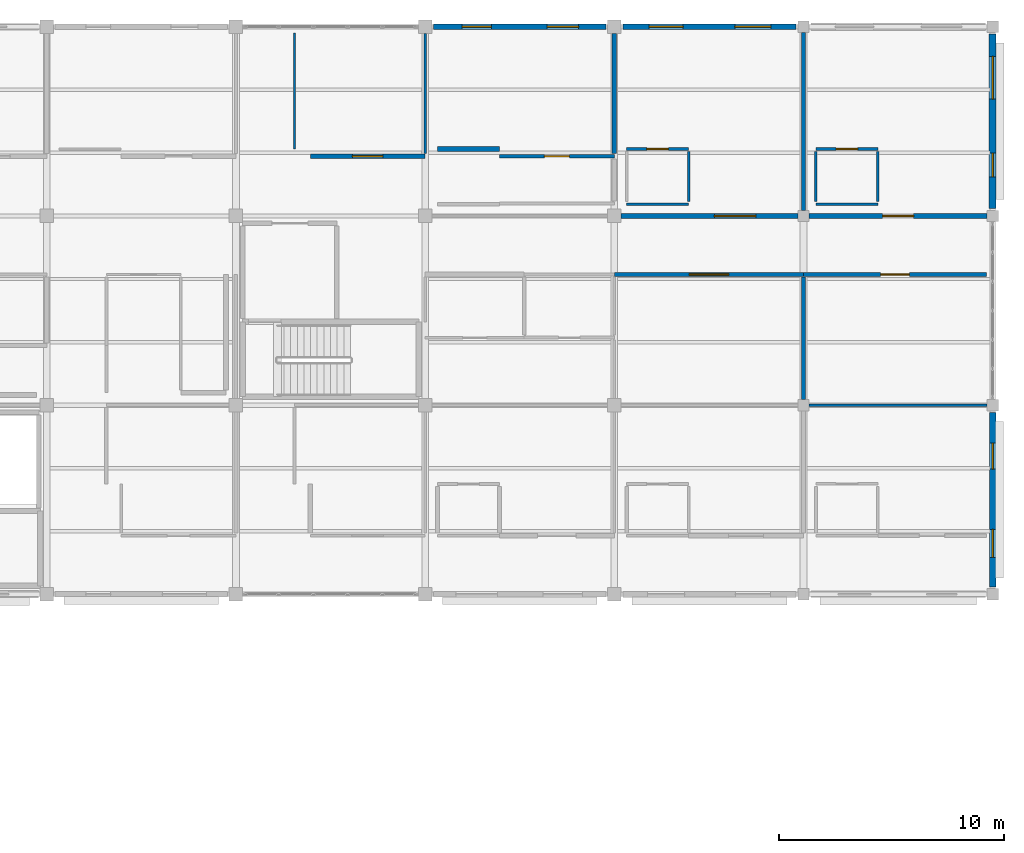
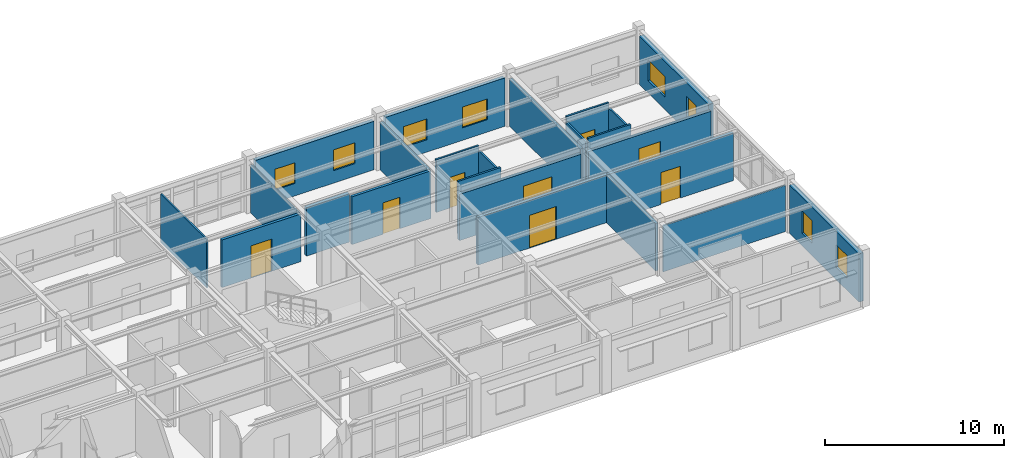
# One storey, part 69 of 86: 24 walls, 8 doors, 8 windows, 16 openings.
"""IFC4 building model written with IfcOpenShell, lengths in metres."""

from ifc_helpers import new_model, si_unit, direction, frame, frame_2d, origin, place, context, subcontext, project, spatial, rectangle, extrude, material, layer, layer_set, type_object, element, fill, save


model = new_model("IFC4")

# Units and contexts
model_context = context("Model", 3, precision=1e-05, world=origin(), true_north=direction((0.0, 1.0)))
body_context = subcontext(model_context, "Body", "Model", "MODEL_VIEW")
ifc_project = project(units=[si_unit("LENGTHUNIT", "METRE"), si_unit("AREAUNIT", "SQUARE_METRE"), si_unit("VOLUMEUNIT", "CUBIC_METRE"), si_unit("PLANEANGLEUNIT", "RADIAN"), si_unit("MASSUNIT", "GRAM", prefix="KILO")], contexts=[model_context])

# Site, building, storey
site_placement = place(None, origin())
site = spatial("IfcSite", under=ifc_project, at=site_placement, CompositionType="ELEMENT")
building_placement = place(site_placement, origin())
building = spatial("IfcBuilding", under=site, at=building_placement, Name="Bramfleet General Hospital", CompositionType="ELEMENT")
storey_placement = place(building_placement, frame((0.0, 0.0, 18.60009765625)))
storey = spatial("IfcBuildingStorey", under=building, at=storey_placement, Name="L04", CompositionType="ELEMENT", Elevation=18.60009765625)

# Wall, openings, windows
ifc_material_1 = material(Name="Precast concrete C40/50", Category="concrete")
ifc_layer_1 = layer(ifc_material_1, 0.31494140625, Name="WT-EW-04")
ifc_layer_set_1 = layer_set([ifc_layer_1], Name="Precast concrete C40/50")
wall_type_1 = type_object("IfcWallType", Name="WT-EW-04", PredefinedType="SOLIDWALL", material=ifc_layer_set_1)
wall_1_placement = place(storey_placement, frame((168.0, 117.27490234375, 0.0), z_axis=(0.0, 0.0, 1.0), x_axis=(0.0, -1.0, 0.0)))
wall_1 = element("IfcWall", 1, at=wall_1_placement, inside=storey, type_object=wall_type_1, Name="L04 Exterior Wall 296", PredefinedType="SOLIDWALL", context=body_context, shape_type="SweptSolid", body=[
    extrude(rectangle(XDim=7.75, YDim=0.31494140625, at=frame_2d((3.875, 0.0))), origin(), (0.0, 0.0, 1.0), 3.2998046875),
])
opening_1_placement = place(wall_1_placement, frame((0.987548828125, 0.0, 0.85009765625)))
opening_1 = element("IfcOpeningElement", 2, at=opening_1_placement, cuts=wall_1, Name="Opening W-20", PredefinedType="OPENING", context=body_context, shape_type="SweptSolid", body=[
    extrude(rectangle(XDim=1.89990234375, YDim=1.419921875, at=frame_2d((0.949951171875, 0.7099609375))), frame((0.0, 0.16748046875, 0.0), z_axis=(0.0, -1.0, 0.0), x_axis=(1.0, 0.0, 0.0)), (0.0, 0.0, 1.0), 0.3349609375),
])
opening_2_placement = place(wall_1_placement, frame((5.28759765625, 0.0, 0.85009765625)))
opening_2 = element("IfcOpeningElement", 3, at=opening_2_placement, cuts=wall_1, Name="Opening W-21", PredefinedType="OPENING", context=body_context, shape_type="SweptSolid", body=[
    extrude(rectangle(XDim=1.050048828125, YDim=1.5400390625, at=frame_2d((0.52490234375, 0.77001953125))), frame((0.0, 0.16748046875, 0.0), z_axis=(0.0, -1.0, 0.0), x_axis=(1.0, 0.0, 0.0)), (0.0, 0.0, 1.0), 0.3349609375),
])
ifc_material_2 = material(Name="Anodised aluminium and low-E triple glazing", Category="aluminium")
window_type_1 = type_object("IfcWindowType", Name="WIN-W-20", PartitioningType="SINGLE_PANEL", PredefinedType="WINDOW", material=ifc_material_2)
window_1_placement = place(opening_1_placement, origin())
window_1 = element("IfcWindow", 4, at=window_1_placement, inside=storey, type_object=window_type_1, Name="L04 Facade Window WIN-L04-296-1", OverallHeight=1.419921875, OverallWidth=1.89990234375, PartitioningType="SINGLE_PANEL", PredefinedType="WINDOW", context=body_context, shape_type="SweptSolid", body=[
    extrude(rectangle(XDim=1.89990234375, YDim=1.419921875, at=frame_2d((0.949951171875, 0.7099609375))), frame((0.0, 0.030029296875, 0.0), z_axis=(0.0, -1.0, 0.0), x_axis=(1.0, 0.0, 0.0)), (0.0, 0.0, 1.0), 0.06005859375),
])
fill(opening_1, window_1)
window_type_2 = type_object("IfcWindowType", Name="WIN-W-21", PartitioningType="SINGLE_PANEL", PredefinedType="WINDOW", material=ifc_material_2)
window_2_placement = place(opening_2_placement, origin())
window_2 = element("IfcWindow", 5, at=window_2_placement, inside=storey, type_object=window_type_2, Name="L04 Facade Window WIN-L04-296-2", OverallHeight=1.5400390625, OverallWidth=1.050048828125, PartitioningType="SINGLE_PANEL", PredefinedType="WINDOW", context=body_context, shape_type="SweptSolid", body=[
    extrude(rectangle(XDim=1.050048828125, YDim=1.5400390625, at=frame_2d((0.52490234375, 0.77001953125))), frame((0.0, 0.030029296875, 0.0), z_axis=(0.0, -1.0, 0.0), x_axis=(1.0, 0.0, 0.0)), (0.0, 0.0, 1.0), 0.06005859375),
])
fill(opening_2, window_2)

ifc_layer_2 = layer(ifc_material_1, 0.294921875, Name="WT-EW-05")
ifc_layer_set_2 = layer_set([ifc_layer_2], Name="Precast concrete C40/50")
wall_type_2 = type_object("IfcWallType", Name="WT-EW-05", PredefinedType="SOLIDWALL", material=ifc_layer_set_2)
wall_2_placement = place(storey_placement, frame((168.0, 100.47509765625, 0.0), z_axis=(0.0, 0.0, 1.0), x_axis=(0.0, -1.0, 0.0)))
wall_2 = element("IfcWall", 6, at=wall_2_placement, inside=storey, type_object=wall_type_2, Name="L04 Exterior Wall 297", PredefinedType="SOLIDWALL", context=body_context, shape_type="SweptSolid", body=[
    extrude(rectangle(XDim=7.75, YDim=0.294921875, at=frame_2d((3.875, 0.0))), origin(), (0.0, 0.0, 1.0), 3.2998046875),
])
opening_3_placement = place(wall_2_placement, frame((1.362548828125, 0.0, 0.85009765625)))
opening_3 = element("IfcOpeningElement", 7, at=opening_3_placement, cuts=wall_2, Name="Opening W-22", PredefinedType="OPENING", context=body_context, shape_type="SweptSolid", body=[
    extrude(rectangle(XDim=1.14990234375, YDim=1.5400390625, at=frame_2d((0.574951171875, 0.77001953125))), frame((0.0, 0.157470703125, 0.0), z_axis=(0.0, -1.0, 0.0), x_axis=(1.0, 0.0, 0.0)), (0.0, 0.0, 1.0), 0.31494140625),
])
opening_4_placement = place(wall_2_placement, frame((5.1875, 0.0, 0.85009765625)))
opening_4 = element("IfcOpeningElement", 8, at=opening_4_placement, cuts=wall_2, Name="Opening W-23", PredefinedType="OPENING", context=body_context, shape_type="SweptSolid", body=[
    extrude(rectangle(XDim=1.25, YDim=1.5400390625, at=frame_2d((0.625, 0.77001953125))), frame((0.0, 0.157470703125, 0.0), z_axis=(0.0, -1.0, 0.0), x_axis=(1.0, 0.0, 0.0)), (0.0, 0.0, 1.0), 0.31494140625),
])
window_type_3 = type_object("IfcWindowType", Name="WIN-W-22", PartitioningType="SINGLE_PANEL", PredefinedType="WINDOW", material=ifc_material_2)
window_3_placement = place(opening_3_placement, origin())
window_3 = element("IfcWindow", 9, at=window_3_placement, inside=storey, type_object=window_type_3, Name="L04 Facade Window WIN-L04-297-1", OverallHeight=1.5400390625, OverallWidth=1.14990234375, PartitioningType="SINGLE_PANEL", PredefinedType="WINDOW", context=body_context, shape_type="SweptSolid", body=[
    extrude(rectangle(XDim=1.14990234375, YDim=1.5400390625, at=frame_2d((0.574951171875, 0.77001953125))), frame((0.0, 0.030029296875, 0.0), z_axis=(0.0, -1.0, 0.0), x_axis=(1.0, 0.0, 0.0)), (0.0, 0.0, 1.0), 0.06005859375),
])
fill(opening_3, window_3)
window_type_4 = type_object("IfcWindowType", Name="WIN-W-23", PartitioningType="SINGLE_PANEL", PredefinedType="WINDOW", material=ifc_material_2)
window_4_placement = place(opening_4_placement, origin())
window_4 = element("IfcWindow", 10, at=window_4_placement, inside=storey, type_object=window_type_4, Name="L04 Facade Window WIN-L04-297-2", OverallHeight=1.5400390625, OverallWidth=1.25, PartitioningType="SINGLE_PANEL", PredefinedType="WINDOW", context=body_context, shape_type="SweptSolid", body=[
    extrude(rectangle(XDim=1.25, YDim=1.5400390625, at=frame_2d((0.625, 0.77001953125))), frame((0.0, 0.030029296875, 0.0), z_axis=(0.0, -1.0, 0.0), x_axis=(1.0, 0.0, 0.0)), (0.0, 0.0, 1.0), 0.06005859375),
])
fill(opening_4, window_4)

ifc_layer_3 = layer(ifc_material_1, 0.25, Name="WT-EW-08")
ifc_layer_set_3 = layer_set([ifc_layer_3], Name="Precast concrete C40/50")
wall_type_3 = type_object("IfcWallType", Name="WT-EW-08", PredefinedType="SOLIDWALL", material=ifc_layer_set_3)
wall_3_placement = place(storey_placement, frame((143.175048828125, 117.60009765625, 0.0), z_axis=(0.0, 0.0, 1.0), x_axis=(1.0, 0.0, 0.0)))
wall_3 = element("IfcWall", 11, at=wall_3_placement, inside=storey, type_object=wall_type_3, Name="L04 Exterior Wall 293", PredefinedType="SOLIDWALL", context=body_context, shape_type="SweptSolid", body=[
    extrude(rectangle(XDim=7.64990234375, YDim=0.25, at=frame_2d((3.824951171875, 0.0))), origin(), (0.0, 0.0, 1.0), 3.309814453125),
])
opening_5_placement = place(wall_3_placement, frame((1.262451171875, 0.0, 0.85009765625)))
opening_5 = element("IfcOpeningElement", 12, at=opening_5_placement, cuts=wall_3, Name="Opening W-14", PredefinedType="OPENING", context=body_context, shape_type="SweptSolid", body=[
    extrude(rectangle(XDim=1.300048828125, YDim=1.419921875, at=frame_2d((0.64990234375, 0.7099609375))), frame((0.0, 0.135009765625, 0.0), z_axis=(0.0, -1.0, 0.0), x_axis=(1.0, 0.0, 0.0)), (0.0, 0.0, 1.0), 0.27001953125),
])
opening_6_placement = place(wall_3_placement, frame((5.03759765625, 0.0, 0.85009765625)))
opening_6 = element("IfcOpeningElement", 13, at=opening_6_placement, cuts=wall_3, Name="Opening W-15", PredefinedType="OPENING", context=body_context, shape_type="SweptSolid", body=[
    extrude(rectangle(XDim=1.39990234375, YDim=1.419921875, at=frame_2d((0.699951171875, 0.7099609375))), frame((0.0, 0.135009765625, 0.0), z_axis=(0.0, -1.0, 0.0), x_axis=(1.0, 0.0, 0.0)), (0.0, 0.0, 1.0), 0.27001953125),
])
window_type_5 = type_object("IfcWindowType", Name="WIN-W-14", PartitioningType="SINGLE_PANEL", PredefinedType="WINDOW", material=ifc_material_2)
window_5_placement = place(opening_5_placement, origin())
window_5 = element("IfcWindow", 14, at=window_5_placement, inside=storey, type_object=window_type_5, Name="L04 Facade Window WIN-L04-293-1", OverallHeight=1.419921875, OverallWidth=1.300048828125, PartitioningType="SINGLE_PANEL", PredefinedType="WINDOW", context=body_context, shape_type="SweptSolid", body=[
    extrude(rectangle(XDim=1.300048828125, YDim=1.419921875, at=frame_2d((0.64990234375, 0.7099609375))), frame((0.0, 0.030029296875, 0.0), z_axis=(0.0, -1.0, 0.0), x_axis=(1.0, 0.0, 0.0)), (0.0, 0.0, 1.0), 0.06005859375),
])
fill(opening_5, window_5)
window_type_6 = type_object("IfcWindowType", Name="WIN-W-15", PartitioningType="SINGLE_PANEL", PredefinedType="WINDOW", material=ifc_material_2)
window_6_placement = place(opening_6_placement, origin())
window_6 = element("IfcWindow", 15, at=window_6_placement, inside=storey, type_object=window_type_6, Name="L04 Facade Window WIN-L04-293-2", OverallHeight=1.419921875, OverallWidth=1.39990234375, PartitioningType="SINGLE_PANEL", PredefinedType="WINDOW", context=body_context, shape_type="SweptSolid", body=[
    extrude(rectangle(XDim=1.39990234375, YDim=1.419921875, at=frame_2d((0.699951171875, 0.7099609375))), frame((0.0, 0.030029296875, 0.0), z_axis=(0.0, -1.0, 0.0), x_axis=(1.0, 0.0, 0.0)), (0.0, 0.0, 1.0), 0.06005859375),
])
fill(opening_6, window_6)

ifc_layer_4 = layer(ifc_material_1, 0.235107421875, Name="WT-EW-09")
ifc_layer_set_4 = layer_set([ifc_layer_4], Name="Precast concrete C40/50")
wall_type_4 = type_object("IfcWallType", Name="WT-EW-09", PredefinedType="SOLIDWALL", material=ifc_layer_set_4)
wall_4_placement = place(storey_placement, frame((151.574951171875, 117.60009765625, 0.0), z_axis=(0.0, 0.0, 1.0), x_axis=(1.0, 0.0, 0.0)))
wall_4 = element("IfcWall", 16, at=wall_4_placement, inside=storey, type_object=wall_type_4, Name="L04 Exterior Wall 294", PredefinedType="SOLIDWALL", context=body_context, shape_type="SweptSolid", body=[
    extrude(rectangle(XDim=7.699951171875, YDim=0.235107421875, at=frame_2d((3.85009765625, 0.0))), origin(), (0.0, 0.0, 1.0), 3.309814453125),
])
opening_7_placement = place(wall_4_placement, frame((1.175048828125, 0.0, 0.85009765625)))
opening_7 = element("IfcOpeningElement", 17, at=opening_7_placement, cuts=wall_4, Name="Opening W-16", PredefinedType="OPENING", context=body_context, shape_type="SweptSolid", body=[
    extrude(rectangle(XDim=1.5, YDim=1.419921875, at=frame_2d((0.75, 0.7099609375))), frame((0.0, 0.12744140625, 0.0), z_axis=(0.0, -1.0, 0.0), x_axis=(1.0, 0.0, 0.0)), (0.0, 0.0, 1.0), 0.255126953125),
])
opening_8_placement = place(wall_4_placement, frame((4.97509765625, 0.0, 0.85009765625)))
opening_8 = element("IfcOpeningElement", 18, at=opening_8_placement, cuts=wall_4, Name="Opening W-17", PredefinedType="OPENING", context=body_context, shape_type="SweptSolid", body=[
    extrude(rectangle(XDim=1.60009765625, YDim=1.419921875, at=frame_2d((0.800048828125, 0.7099609375))), frame((0.0, 0.12744140625, 0.0), z_axis=(0.0, -1.0, 0.0), x_axis=(1.0, 0.0, 0.0)), (0.0, 0.0, 1.0), 0.255126953125),
])
window_type_7 = type_object("IfcWindowType", Name="WIN-W-16", PartitioningType="SINGLE_PANEL", PredefinedType="WINDOW", material=ifc_material_2)
window_7_placement = place(opening_7_placement, origin())
window_7 = element("IfcWindow", 19, at=window_7_placement, inside=storey, type_object=window_type_7, Name="L04 Facade Window WIN-L04-294-1", OverallHeight=1.419921875, OverallWidth=1.5, PartitioningType="SINGLE_PANEL", PredefinedType="WINDOW", context=body_context, shape_type="SweptSolid", body=[
    extrude(rectangle(XDim=1.5, YDim=1.419921875, at=frame_2d((0.75, 0.7099609375))), frame((0.0, 0.030029296875, 0.0), z_axis=(0.0, -1.0, 0.0), x_axis=(1.0, 0.0, 0.0)), (0.0, 0.0, 1.0), 0.06005859375),
])
fill(opening_7, window_7)
window_type_8 = type_object("IfcWindowType", Name="WIN-W-17", PartitioningType="SINGLE_PANEL", PredefinedType="WINDOW", material=ifc_material_2)
window_8_placement = place(opening_8_placement, origin())
window_8 = element("IfcWindow", 20, at=window_8_placement, inside=storey, type_object=window_type_8, Name="L04 Facade Window WIN-L04-294-2", OverallHeight=1.419921875, OverallWidth=1.60009765625, PartitioningType="SINGLE_PANEL", PredefinedType="WINDOW", context=body_context, shape_type="SweptSolid", body=[
    extrude(rectangle(XDim=1.60009765625, YDim=1.419921875, at=frame_2d((0.800048828125, 0.7099609375))), frame((0.0, 0.030029296875, 0.0), z_axis=(0.0, -1.0, 0.0), x_axis=(1.0, 0.0, 0.0)), (0.0, 0.0, 1.0), 0.06005859375),
])
fill(opening_8, window_8)

# Wall, opening, door
ifc_material_3 = material(Name="Concrete C35/45", Category="concrete")
ifc_layer_5 = layer(ifc_material_3, 0.219970703125, Name="WT-IW-01")
ifc_layer_set_5 = layer_set([ifc_layer_5], Name="Concrete C35/45")
wall_type_5 = type_object("IfcWallType", Name="WT-IW-01", PredefinedType="PARTITIONING", material=ifc_layer_set_5)
wall_5_placement = place(storey_placement, frame((151.4951171875, 109.199951171875, 0.0), z_axis=(0.0, 0.0, 1.0), x_axis=(1.0, 0.0, 0.0)))
wall_5 = element("IfcWall", 21, at=wall_5_placement, inside=storey, type_object=wall_type_5, Name="L04 Interior Partition IW-L04-3253", PredefinedType="PARTITIONING", context=body_context, shape_type="SweptSolid", body=[
    extrude(rectangle(XDim=7.85986328125, YDim=0.219970703125, at=frame_2d((3.929931640625, 0.0))), origin(), (0.0, 0.0, 1.0), 3.159912109375),
])
opening_9_placement = place(wall_5_placement, frame((4.153076171875, 0.0, 0.0)))
opening_9 = element("IfcOpeningElement", 22, at=opening_9_placement, cuts=wall_5, Name="Opening D1332", PredefinedType="OPENING", context=body_context, shape_type="SweptSolid", body=[
    extrude(rectangle(XDim=1.840087890625, YDim=2.280029296875, at=frame_2d((0.919921875, 1.14013671875))), frame((0.0, 0.119873046875, 0.0), z_axis=(0.0, -1.0, 0.0), x_axis=(1.0, 0.0, 0.0)), (0.0, 0.0, 1.0), 0.239990234375),
])
ifc_material_4 = material(Name="Stainless steel and acoustic timber leaf", Category="steel")
door_type_1 = type_object("IfcDoorType", Name="DR-D-20", OperationType="NOTDEFINED", PredefinedType="DOOR", material=ifc_material_4)
door_1_placement = place(opening_9_placement, origin())
door_1 = element("IfcDoor", 23, at=door_1_placement, inside=storey, type_object=door_type_1, Name="Surgical Inpatient Ward Bedroom L04-1813 Door D1332", OperationType="DOUBLE_SWING_LEFT", OverallHeight=2.280029296875, OverallWidth=1.840087890625, PredefinedType="DOOR", context=body_context, shape_type="SweptSolid", body=[
    extrude(rectangle(XDim=1.840087890625, YDim=2.280029296875, at=frame_2d((0.919921875, 1.14013671875))), frame((0.0, 0.02490234375, 0.0), z_axis=(0.0, -1.0, 0.0), x_axis=(1.0, 0.0, 0.0)), (0.0, 0.0, 1.0), 0.050048828125),
])
fill(opening_9, door_1)

# Wall
wall_6_placement = place(storey_placement, frame((143.35009765625, 112.169921875, 0.0), z_axis=(0.0, 0.0, 1.0), x_axis=(1.0, 0.0, 0.0)))
element("IfcWall", 24, at=wall_6_placement, inside=storey, type_object=wall_type_5, Name="L04 Interior Partition IW-L04-3277", PredefinedType="PARTITIONING", context=body_context, shape_type="SweptSolid", body=[
    extrude(rectangle(XDim=2.75, YDim=0.219970703125, at=frame_2d((1.375, 0.0))), origin(), (0.0, 0.0, 1.0), 3.309814453125),
])

# Wall, opening, door
ifc_layer_6 = layer(ifc_material_3, 0.205078125, Name="WT-IW-02")
ifc_layer_set_6 = layer_set([ifc_layer_6], Name="Concrete C35/45")
wall_type_6 = type_object("IfcWallType", Name="WT-IW-02", PredefinedType="PARTITIONING", material=ifc_layer_set_6)
wall_7_placement = place(storey_placement, frame((159.844970703125, 109.199951171875, 0.0), z_axis=(0.0, 0.0, 1.0), x_axis=(1.0, 0.0, 0.0)))
wall_7 = element("IfcWall", 25, at=wall_7_placement, inside=storey, type_object=wall_type_6, Name="L04 Interior Partition IW-L04-3254", PredefinedType="PARTITIONING", context=body_context, shape_type="SweptSolid", body=[
    extrude(rectangle(XDim=7.909912109375, YDim=0.205078125, at=frame_2d((3.955078125, 0.0))), origin(), (0.0, 0.0, 1.0), 3.14990234375),
])
opening_10_placement = place(wall_7_placement, frame((3.264892578125, 0.0, 0.0)))
opening_10 = element("IfcOpeningElement", 26, at=opening_10_placement, cuts=wall_7, Name="Opening D1342", PredefinedType="OPENING", context=body_context, shape_type="SweptSolid", body=[
    extrude(rectangle(XDim=1.3798828125, YDim=2.219970703125, at=frame_2d((0.68994140625, 1.10986328125))), frame((0.0, 0.112548828125, 0.0), z_axis=(0.0, -1.0, 0.0), x_axis=(1.0, 0.0, 0.0)), (0.0, 0.0, 1.0), 0.22509765625),
])
door_type_2 = type_object("IfcDoorType", Name="DR-D-30", OperationType="NOTDEFINED", PredefinedType="DOOR", material=ifc_material_4)
door_2_placement = place(opening_10_placement, origin())
door_2 = element("IfcDoor", 27, at=door_2_placement, inside=storey, type_object=door_type_2, Name="Surgical Inpatient Ward Bedroom L04-1913 Door D1342", OperationType="SINGLE_SWING_LEFT", OverallHeight=2.219970703125, OverallWidth=1.3798828125, PredefinedType="DOOR", context=body_context, shape_type="SweptSolid", body=[
    extrude(rectangle(XDim=1.3798828125, YDim=2.219970703125, at=frame_2d((0.68994140625, 1.10986328125))), frame((0.0, 0.02490234375, 0.0), z_axis=(0.0, -1.0, 0.0), x_axis=(1.0, 0.0, 0.0)), (0.0, 0.0, 1.0), 0.050048828125),
])
fill(opening_10, door_2)

ifc_layer_7 = layer(ifc_material_3, 0.18994140625, Name="WT-IW-03")
ifc_layer_set_7 = layer_set([ifc_layer_7], Name="Concrete C35/45")
wall_type_7 = type_object("IfcWallType", Name="WT-IW-03", PredefinedType="PARTITIONING", material=ifc_layer_set_7)
wall_8_placement = place(storey_placement, frame((151.199951171875, 106.60009765625, 0.0), z_axis=(0.0, 0.0, 1.0), x_axis=(1.0, 0.0, 0.0)))
wall_8 = element("IfcWall", 28, at=wall_8_placement, inside=storey, type_object=wall_type_7, Name="L04 Interior Partition IW-L04-3243", PredefinedType="PARTITIONING", context=body_context, shape_type="SweptSolid", body=[
    extrude(rectangle(XDim=8.400146484375, YDim=0.18994140625, at=frame_2d((4.2001953125, 0.0))), origin(), (0.0, 0.0, 1.0), 3.25),
])
opening_11_placement = place(wall_8_placement, frame((3.330078125, 0.0, 0.0)))
opening_11 = element("IfcOpeningElement", 29, at=opening_11_placement, cuts=wall_8, Name="Opening D1331", PredefinedType="OPENING", context=body_context, shape_type="SweptSolid", body=[
    extrude(rectangle(XDim=1.739990234375, YDim=2.239990234375, at=frame_2d((0.8701171875, 1.1201171875))), frame((0.0, 0.10498046875, 0.0), z_axis=(0.0, -1.0, 0.0), x_axis=(1.0, 0.0, 0.0)), (0.0, 0.0, 1.0), 0.2099609375),
])
door_type_3 = type_object("IfcDoorType", Name="DR-D-19", OperationType="NOTDEFINED", PredefinedType="DOOR", material=ifc_material_4)
door_3_placement = place(opening_11_placement, origin())
door_3 = element("IfcDoor", 30, at=door_3_placement, inside=storey, type_object=door_type_3, Name="Patient Dayroom and Garden Lounge L04-1812 Door D1331", OperationType="DOUBLE_SWING_RIGHT", OverallHeight=2.239990234375, OverallWidth=1.739990234375, PredefinedType="DOOR", context=body_context, shape_type="SweptSolid", body=[
    extrude(rectangle(XDim=1.739990234375, YDim=2.239990234375, at=frame_2d((0.8701171875, 1.1201171875))), frame((0.0, 0.02490234375, 0.0), z_axis=(0.0, -1.0, 0.0), x_axis=(1.0, 0.0, 0.0)), (0.0, 0.0, 1.0), 0.050048828125),
])
fill(opening_11, door_3)

# Wall
wall_9_placement = place(storey_placement, frame((151.199951171875, 111.965087890625, 0.0), z_axis=(0.0, 0.0, 1.0), x_axis=(0.0, 1.0, 0.0)))
element("IfcWall", 31, at=wall_9_placement, inside=storey, type_object=wall_type_7, Name="L04 Interior Partition IW-L04-3471", PredefinedType="PARTITIONING", context=body_context, shape_type="SweptSolid", body=[
    extrude(rectangle(XDim=5.33984375, YDim=0.18994140625, at=frame_2d((2.669921875, 0.0))), origin(), (0.0, 0.0, 1.0), 3.260009765625),
])

# Wall, opening, door
ifc_layer_8 = layer(ifc_material_3, 0.179931640625, Name="WT-IW-04")
ifc_layer_set_8 = layer_set([ifc_layer_8], Name="Concrete C35/45")
wall_type_8 = type_object("IfcWallType", Name="WT-IW-04", PredefinedType="PARTITIONING", material=ifc_layer_set_8)
wall_10_placement = place(storey_placement, frame((159.60009765625, 106.60009765625, 0.0), z_axis=(0.0, 0.0, 1.0), x_axis=(1.0, 0.0, 0.0)))
wall_10 = element("IfcWall", 32, at=wall_10_placement, inside=storey, type_object=wall_type_8, Name="L04 Interior Partition IW-L04-3244", PredefinedType="PARTITIONING", context=body_context, shape_type="SweptSolid", body=[
    extrude(rectangle(XDim=8.119873046875, YDim=0.179931640625, at=frame_2d((4.06005859375, 0.0))), origin(), (0.0, 0.0, 1.0), 3.25),
])
opening_12_placement = place(wall_10_placement, frame((3.419921875, 0.0, 0.0)))
opening_12 = element("IfcOpeningElement", 33, at=opening_12_placement, cuts=wall_10, Name="Opening D1341", PredefinedType="OPENING", context=body_context, shape_type="SweptSolid", body=[
    extrude(rectangle(XDim=1.280029296875, YDim=2.179931640625, at=frame_2d((0.64013671875, 1.08984375))), frame((0.0, 0.099853515625, 0.0), z_axis=(0.0, -1.0, 0.0), x_axis=(1.0, 0.0, 0.0)), (0.0, 0.0, 1.0), 0.199951171875),
])
door_type_4 = type_object("IfcDoorType", Name="DR-D-29", OperationType="NOTDEFINED", PredefinedType="DOOR", material=ifc_material_4)
door_4_placement = place(opening_12_placement, origin())
door_4 = element("IfcDoor", 34, at=door_4_placement, inside=storey, type_object=door_type_4, Name="Ward Linen and Clean Utility L04-1912 Door D1341", OperationType="SINGLE_SWING_RIGHT", OverallHeight=2.179931640625, OverallWidth=1.280029296875, PredefinedType="DOOR", context=body_context, shape_type="SweptSolid", body=[
    extrude(rectangle(XDim=1.280029296875, YDim=2.179931640625, at=frame_2d((0.64013671875, 1.08984375))), frame((0.0, 0.02490234375, 0.0), z_axis=(0.0, -1.0, 0.0), x_axis=(1.0, 0.0, 0.0)), (0.0, 0.0, 1.0), 0.050048828125),
])
fill(opening_12, door_4)

wall_11_placement = place(storey_placement, frame((137.699951171875, 111.85009765625, 0.0), z_axis=(0.0, 0.0, 1.0), x_axis=(1.0, 0.0, 0.0)))
wall_11 = element("IfcWall", 35, at=wall_11_placement, inside=storey, type_object=wall_type_8, Name="L04 Interior Partition IW-L04-3268", PredefinedType="PARTITIONING", context=body_context, shape_type="SweptSolid", body=[
    extrude(rectangle(XDim=5.10009765625, YDim=0.179931640625, at=frame_2d((2.550048828125, 0.0))), origin(), (0.0, 0.0, 1.0), 3.260009765625),
])
opening_13_placement = place(wall_11_placement, frame((1.875, 0.0, 0.0)))
opening_13 = element("IfcOpeningElement", 36, at=opening_13_placement, cuts=wall_11, Name="Opening D1314", PredefinedType="OPENING", context=body_context, shape_type="SweptSolid", body=[
    extrude(rectangle(XDim=1.35009765625, YDim=2.199951171875, at=frame_2d((0.675048828125, 1.10009765625))), frame((0.0, 0.099853515625, 0.0), z_axis=(0.0, -1.0, 0.0), x_axis=(1.0, 0.0, 0.0)), (0.0, 0.0, 1.0), 0.199951171875),
])
door_type_5 = type_object("IfcDoorType", Name="DR-D-02", OperationType="NOTDEFINED", PredefinedType="DOOR", material=ifc_material_4)
door_5_placement = place(opening_13_placement, origin())
door_5 = element("IfcDoor", 37, at=door_5_placement, inside=storey, type_object=door_type_5, Name="Surgical Inpatient Ward Bedroom L04-1613 Door D1314", OperationType="SINGLE_SWING_LEFT", OverallHeight=2.199951171875, OverallWidth=1.35009765625, PredefinedType="DOOR", context=body_context, shape_type="SweptSolid", body=[
    extrude(rectangle(XDim=1.35009765625, YDim=2.199951171875, at=frame_2d((0.675048828125, 1.10009765625))), frame((0.0, 0.02490234375, 0.0), z_axis=(0.0, -1.0, 0.0), x_axis=(1.0, 0.0, 0.0)), (0.0, 0.0, 1.0), 0.050048828125),
])
fill(opening_13, door_5)

# Wall
wall_12_placement = place(storey_placement, frame((159.60009765625, 101.044921875, 0.0), z_axis=(0.0, 0.0, 1.0), x_axis=(0.0, 1.0, 0.0)))
element("IfcWall", 38, at=wall_12_placement, inside=storey, type_object=wall_type_8, Name="L04 Interior Partition IW-L04-3484", PredefinedType="PARTITIONING", context=body_context, shape_type="SweptSolid", body=[
    extrude(rectangle(XDim=5.440185546875, YDim=0.179931640625, at=frame_2d((2.72021484375, 0.0))), origin(), (0.0, 0.0, 1.0), 3.25),
])

# Wall, opening, door
ifc_material_5 = material(Name="Gypsum plasterboard on acoustic steel studs", Category="steel")
ifc_layer_9 = layer(ifc_material_5, 0.169921875, Name="WT-IW-05")
ifc_layer_set_9 = layer_set([ifc_layer_9], Name="Gypsum plasterboard on acoustic steel studs")
wall_type_9 = type_object("IfcWallType", Name="WT-IW-05", PredefinedType="PARTITIONING", material=ifc_layer_set_9)
wall_13_placement = place(storey_placement, frame((146.10009765625, 111.85009765625, 0.0), z_axis=(0.0, 0.0, 1.0), x_axis=(1.0, 0.0, 0.0)))
wall_13 = element("IfcWall", 39, at=wall_13_placement, inside=storey, type_object=wall_type_9, Name="L04 Interior Partition IW-L04-3269", PredefinedType="PARTITIONING", context=body_context, shape_type="SweptSolid", body=[
    extrude(rectangle(XDim=5.099853515625, YDim=0.169921875, at=frame_2d((2.5498046875, 0.0))), origin(), (0.0, 0.0, 1.0), 3.260009765625),
])
opening_14_placement = place(wall_13_placement, frame((2.0, 0.0, 0.0)))
opening_14 = element("IfcOpeningElement", 40, at=opening_14_placement, cuts=wall_13, Name="Opening D1323", PredefinedType="OPENING", context=body_context, shape_type="SweptSolid", body=[
    extrude(rectangle(XDim=1.10009765625, YDim=2.14990234375, at=frame_2d((0.550048828125, 1.074951171875))), frame((0.0, 0.094970703125, 0.0), z_axis=(0.0, -1.0, 0.0), x_axis=(1.0, 0.0, 0.0)), (0.0, 0.0, 1.0), 0.18994140625),
])
door_type_6 = type_object("IfcDoorType", Name="DR-D-11", OperationType="NOTDEFINED", PredefinedType="DOOR", material=ifc_material_4)
door_6_placement = place(opening_14_placement, origin())
door_6 = element("IfcDoor", 41, at=door_6_placement, inside=storey, type_object=door_type_6, Name="Surgical Inpatient Ward Bedroom L04-1713 Door D1323", OperationType="SINGLE_SWING_RIGHT", OverallHeight=2.14990234375, OverallWidth=1.10009765625, PredefinedType="DOOR", context=body_context, shape_type="SweptSolid", body=[
    extrude(rectangle(XDim=1.10009765625, YDim=2.14990234375, at=frame_2d((0.550048828125, 1.074951171875))), frame((0.0, 0.02490234375, 0.0), z_axis=(0.0, -1.0, 0.0), x_axis=(1.0, 0.0, 0.0)), (0.0, 0.0, 1.0), 0.050048828125),
])
fill(opening_14, door_6)

# Walls
wall_14_placement = place(storey_placement, frame((159.60009765625, 109.445068359375, 0.0), z_axis=(0.0, 0.0, 1.0), x_axis=(0.0, 1.0, 0.0)))
element("IfcWall", 42, at=wall_14_placement, inside=storey, type_object=wall_type_9, Name="L04 Interior Partition IW-L04-3485", PredefinedType="PARTITIONING", context=body_context, shape_type="SweptSolid", body=[
    extrude(rectangle(XDim=7.909912109375, YDim=0.169921875, at=frame_2d((3.955078125, 0.0))), origin(), (0.0, 0.0, 1.0), 3.25),
])
ifc_layer_10 = layer(ifc_material_5, 0.1201171875, Name="WT-IW-10")
ifc_layer_set_10 = layer_set([ifc_layer_10], Name="Gypsum plasterboard on acoustic steel studs")
wall_type_10 = type_object("IfcWallType", Name="WT-IW-10", PredefinedType="PARTITIONING", material=ifc_layer_set_10)
for number, where, z_axis, x_axis, name in (
    (43, (151.75, 109.719970703125, 0.0), (0.0, 0.0, 1.0), (1.0, 0.0, 0.0), "L04 Interior Partition IW-L04-3260"),
    (44, (160.14990234375, 109.719970703125, 0.0), (0.0, 0.0, 1.0), (1.0, 0.0, 0.0), "L04 Interior Partition IW-L04-3261"),
):
    element("IfcWall", number, at=place(storey_placement, frame(where, z_axis=z_axis, x_axis=x_axis)), inside=storey, type_object=wall_type_10, Name=name, PredefinedType="PARTITIONING", context=body_context, shape_type="SweptSolid", body=[
        extrude(rectangle(XDim=2.75, YDim=0.1201171875, at=frame_2d((1.375, 0.0))), origin(), (0.0, 0.0, 1.0), 3.60986328125),
    ])

# Wall, opening, door
wall_15_placement = place(storey_placement, frame((151.75, 112.169921875, 0.0), z_axis=(0.0, 0.0, 1.0), x_axis=(1.0, 0.0, 0.0)))
wall_15 = element("IfcWall", 45, at=wall_15_placement, inside=storey, type_object=wall_type_10, Name="L04 Interior Partition IW-L04-3278", PredefinedType="PARTITIONING", context=body_context, shape_type="SweptSolid", body=[
    extrude(rectangle(XDim=2.75, YDim=0.1201171875, at=frame_2d((1.375, 0.0))), origin(), (0.0, 0.0, 1.0), 3.60986328125),
])
opening_15_placement = place(wall_15_placement, frame((0.89990234375, 0.0, 0.0)))
opening_15 = element("IfcOpeningElement", 46, at=opening_15_placement, cuts=wall_15, Name="Opening D1333", PredefinedType="OPENING", context=body_context, shape_type="SweptSolid", body=[
    extrude(rectangle(XDim=0.949951171875, YDim=2.10009765625, at=frame_2d((0.47509765625, 1.050048828125))), frame((0.0, 0.070068359375, 0.0), z_axis=(0.0, -1.0, 0.0), x_axis=(1.0, 0.0, 0.0)), (0.0, 0.0, 1.0), 0.14013671875),
])
door_type_7 = type_object("IfcDoorType", Name="DR-D-10", OperationType="NOTDEFINED", PredefinedType="DOOR", material=ifc_material_4)
door_7_placement = place(opening_15_placement, origin())
door_7 = element("IfcDoor", 47, at=door_7_placement, inside=storey, type_object=door_type_7, Name="En-Suite Bathroom L04-1813 Door D1333", OperationType="SINGLE_SWING_LEFT", OverallHeight=2.10009765625, OverallWidth=0.949951171875, PredefinedType="DOOR", context=body_context, shape_type="SweptSolid", body=[
    extrude(rectangle(XDim=0.949951171875, YDim=2.10009765625, at=frame_2d((0.47509765625, 1.050048828125))), frame((0.0, 0.02490234375, 0.0), z_axis=(0.0, -1.0, 0.0), x_axis=(1.0, 0.0, 0.0)), (0.0, 0.0, 1.0), 0.050048828125),
])
fill(opening_15, door_7)

wall_16_placement = place(storey_placement, frame((160.14990234375, 112.169921875, 0.0), z_axis=(0.0, 0.0, 1.0), x_axis=(1.0, 0.0, 0.0)))
wall_16 = element("IfcWall", 48, at=wall_16_placement, inside=storey, type_object=wall_type_10, Name="L04 Interior Partition IW-L04-3279", PredefinedType="PARTITIONING", context=body_context, shape_type="SweptSolid", body=[
    extrude(rectangle(XDim=2.75, YDim=0.1201171875, at=frame_2d((1.375, 0.0))), origin(), (0.0, 0.0, 1.0), 3.60986328125),
])
opening_16_placement = place(wall_16_placement, frame((0.89990234375, 0.0, 0.0)))
opening_16 = element("IfcOpeningElement", 49, at=opening_16_placement, cuts=wall_16, Name="Opening D1343", PredefinedType="OPENING", context=body_context, shape_type="SweptSolid", body=[
    extrude(rectangle(XDim=0.949951171875, YDim=2.10009765625, at=frame_2d((0.47509765625, 1.050048828125))), frame((0.0, 0.070068359375, 0.0), z_axis=(0.0, -1.0, 0.0), x_axis=(1.0, 0.0, 0.0)), (0.0, 0.0, 1.0), 0.14013671875),
])
door_8_placement = place(opening_16_placement, origin())
door_8 = element("IfcDoor", 50, at=door_8_placement, inside=storey, type_object=door_type_7, Name="En-Suite Bathroom L04-1913 Door D1343", OperationType="SINGLE_SWING_LEFT", OverallHeight=2.10009765625, OverallWidth=0.949951171875, PredefinedType="DOOR", context=body_context, shape_type="SweptSolid", body=[
    extrude(rectangle(XDim=0.949951171875, YDim=2.10009765625, at=frame_2d((0.47509765625, 1.050048828125))), frame((0.0, 0.02490234375, 0.0), z_axis=(0.0, -1.0, 0.0), x_axis=(1.0, 0.0, 0.0)), (0.0, 0.0, 1.0), 0.050048828125),
])
fill(opening_16, door_8)

# Walls
wall_17_placement = place(storey_placement, frame((154.5, 109.8349609375, 0.0), z_axis=(0.0, 0.0, 1.0), x_axis=(0.0, 1.0, 0.0)))
element("IfcWall", 51, at=wall_17_placement, inside=storey, type_object=wall_type_10, Name="L04 Interior Partition IW-L04-3479", PredefinedType="PARTITIONING", context=body_context, shape_type="SweptSolid", body=[
    extrude(rectangle(XDim=2.219970703125, YDim=0.1201171875, at=frame_2d((1.10986328125, 0.0))), origin(), (0.0, 0.0, 1.0), 3.309814453125),
])
for number, where, z_axis, x_axis, name in (
    (52, (160.14990234375, 109.8349609375, 0.0), (0.0, 0.0, 1.0), (0.0, 1.0, 0.0), "L04 Interior Partition IW-L04-3489"),
    (53, (162.89990234375, 109.8349609375, 0.0), (0.0, 0.0, 1.0), (0.0, 1.0, 0.0), "L04 Interior Partition IW-L04-3493"),
):
    element("IfcWall", number, at=place(storey_placement, frame(where, z_axis=z_axis, x_axis=x_axis)), inside=storey, type_object=wall_type_10, Name=name, PredefinedType="PARTITIONING", context=body_context, shape_type="SweptSolid", body=[
        extrude(rectangle(XDim=2.219970703125, YDim=0.1201171875, at=frame_2d((1.10986328125, 0.0))), origin(), (0.0, 0.0, 1.0), 3.2998046875),
    ])
ifc_layer_11 = layer(ifc_material_5, 0.10009765625, Name="WT-IW-12")
ifc_layer_set_11 = layer_set([ifc_layer_11], Name="Gypsum plasterboard on acoustic steel studs")
wall_type_11 = type_object("IfcWallType", Name="WT-IW-12", PredefinedType="PARTITIONING", material=ifc_layer_set_11)
wall_18_placement = place(storey_placement, frame((159.844970703125, 100.800048828125, 0.0), z_axis=(0.0, 0.0, 1.0), x_axis=(1.0, 0.0, 0.0)))
element("IfcWall", 54, at=wall_18_placement, inside=storey, type_object=wall_type_11, Name="L04 Interior Partition IW-L04-3216", PredefinedType="PARTITIONING", context=body_context, shape_type="SweptSolid", body=[
    extrude(rectangle(XDim=7.909912109375, YDim=0.10009765625, at=frame_2d((3.955078125, 0.0))), origin(), (0.0, 0.0, 1.0), 3.14990234375),
])
wall_19_placement = place(storey_placement, frame((137.0, 112.169921875, 0.0), z_axis=(0.0, 0.0, 1.0), x_axis=(0.0, 1.0, 0.0)))
element("IfcWall", 55, at=wall_19_placement, inside=storey, type_object=wall_type_11, Name="L04 Interior Partition IW-L04-3444", PredefinedType="PARTITIONING", context=body_context, shape_type="SweptSolid", body=[
    extrude(rectangle(XDim=5.150146484375, YDim=0.10009765625, at=frame_2d((2.5751953125, 0.0))), origin(), (0.0, 0.0, 1.0), 3.309814453125),
])
wall_20_placement = place(storey_placement, frame((142.800048828125, 111.965087890625, 0.0), z_axis=(0.0, 0.0, 1.0), x_axis=(0.0, 1.0, 0.0)))
element("IfcWall", 56, at=wall_20_placement, inside=storey, type_object=wall_type_11, Name="L04 Interior Partition IW-L04-3456", PredefinedType="PARTITIONING", context=body_context, shape_type="SweptSolid", body=[
    extrude(rectangle(XDim=5.33984375, YDim=0.10009765625, at=frame_2d((2.669921875, 0.0))), origin(), (0.0, 0.0, 1.0), 3.260009765625),
])

save(model, "model.ifc")
